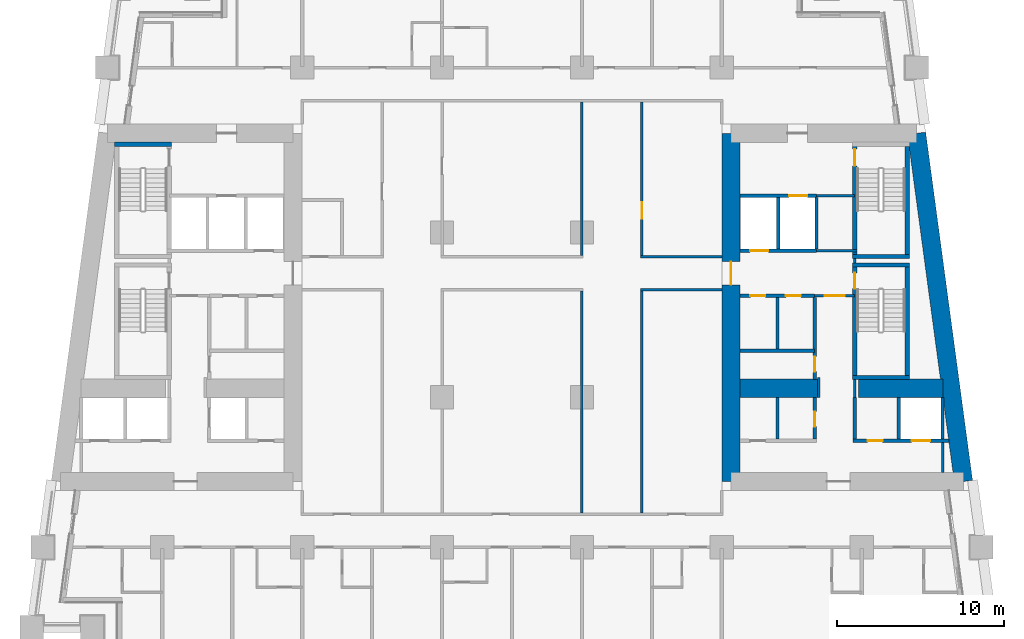
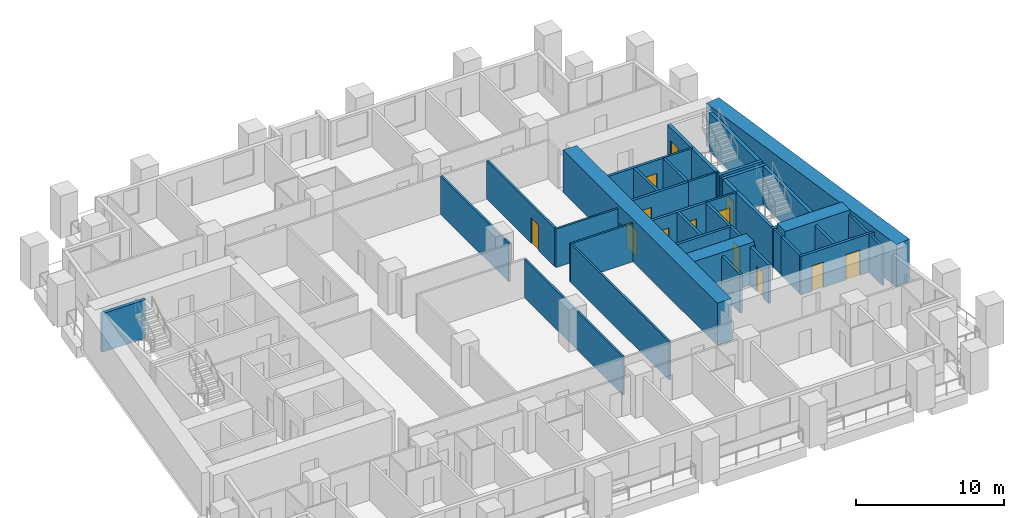
# One storey, part 5 of 12: 39 walls, 13 doors, 13 openings.
"""IFC4 building model written with IfcOpenShell, lengths in metres."""

from ifc_helpers import new_model, si_unit, direction, frame, frame_2d, origin, place, context, subcontext, project, spatial, rectangle, extrude, material, layer, layer_set, type_object, element, fill, save


model = new_model("IFC4")

# Units and contexts
model_context = context("Model", 3, precision=1e-05, world=origin(), true_north=direction((0.0, 1.0)))
body_context = subcontext(model_context, "Body", "Model", "MODEL_VIEW")
ifc_project = project(units=[si_unit("LENGTHUNIT", "METRE"), si_unit("AREAUNIT", "SQUARE_METRE"), si_unit("VOLUMEUNIT", "CUBIC_METRE"), si_unit("PLANEANGLEUNIT", "RADIAN"), si_unit("MASSUNIT", "GRAM", prefix="KILO")], contexts=[model_context])

# Site, building, storey
site_placement = place(None, origin())
site = spatial("IfcSite", under=ifc_project, at=site_placement, CompositionType="ELEMENT")
building_placement = place(site_placement, origin())
building = spatial("IfcBuilding", under=site, at=building_placement, Name="Candeia Pilgrim Tower and Theatre", CompositionType="ELEMENT")
storey_placement = place(building_placement, frame((0.0, 0.0, 53.0)))
storey = spatial("IfcBuildingStorey", under=building, at=storey_placement, Name="L10", CompositionType="ELEMENT", Elevation=53.0)

# Wall
ifc_material_1 = material(Name="Concrete C80/95", Category="concrete")
ifc_layer_1 = layer(ifc_material_1, 1.10009765625)
ifc_layer_set_1 = layer_set([ifc_layer_1], Name="Core wall 1100 C80/95")
wall_type_1 = type_object("IfcWallType", Name="Core wall 1100 C80/95", PredefinedType="SHEAR", material=ifc_layer_set_1)
wall_1_placement = place(storey_placement, frame((137.688232421875, 131.85009765625, 0.0), z_axis=(0.0, 0.0, 1.0), x_axis=(0.133411793472, -0.991060691059, 0.0)))
element("IfcWall", 1, at=wall_1_placement, inside=storey, type_object=wall_type_1, Name="Core wall E2", PredefinedType="SHEAR", context=body_context, shape_type="SweptSolid", body=[
    extrude(rectangle(XDim=21.088623046875, YDim=1.10009765625, at=frame_2d((10.54443359375, 0.0))), origin(), (0.0, 0.0, 1.0), 3.5),
])

# Wall, opening, door
wall_2_placement = place(storey_placement, frame((126.550048828125, 110.949951171875, 0.0), z_axis=(0.0, 0.0, 1.0), x_axis=(0.0, 1.0, 0.0)))
wall_2 = element("IfcWall", 2, at=wall_2_placement, inside=storey, type_object=wall_type_1, Name="Core wall E4", PredefinedType="SHEAR", context=body_context, shape_type="SweptSolid", body=[
    extrude(rectangle(XDim=20.900146484375, YDim=1.10009765625, at=frame_2d((10.4501953125, 0.0))), origin(), (0.0, 0.0, 1.0), 3.5),
])
opening_1_placement = place(wall_2_placement, frame((11.800048828125, 0.0, 0.0)))
opening_1 = element("IfcOpeningElement", 3, at=opening_1_placement, cuts=wall_2, Name="Opening L10-D057", PredefinedType="OPENING", context=body_context, shape_type="SweptSolid", body=[
    extrude(rectangle(XDim=1.39990234375, YDim=2.10009765625, at=frame_2d((0.699951171875, 1.050048828125))), frame((0.0, 0.56005859375, 0.0), z_axis=(0.0, -1.0, 0.0), x_axis=(1.0, 0.0, 0.0)), (0.0, 0.0, 1.0), 1.1201171875),
])
ifc_material_2 = material(Name="Steel fire door set", Category="steel")
door_type_1 = type_object("IfcDoorType", Name="D-1400-FD60", OperationType="NOTDEFINED", PredefinedType="DOOR", material=ifc_material_2)
door_1_placement = place(opening_1_placement, origin())
door_1 = element("IfcDoor", 4, at=door_1_placement, inside=storey, type_object=door_type_1, Name="Door L10-D057", OperationType="SINGLE_SWING_LEFT", OverallHeight=2.10009765625, OverallWidth=1.39990234375, PredefinedType="DOOR", context=body_context, shape_type="SweptSolid", body=[
    extrude(rectangle(XDim=1.39990234375, YDim=2.10009765625, at=frame_2d((0.699951171875, 1.050048828125))), frame((0.0, 0.02490234375, 0.0), z_axis=(0.0, -1.0, 0.0), x_axis=(1.0, 0.0, 0.0)), (0.0, 0.0, 1.0), 0.050048828125),
])
fill(opening_1, door_1)

# Walls
wall_3_placement = place(storey_placement, frame((127.10009765625, 116.550048828125, 0.0), z_axis=(0.0, 0.0, 1.0), x_axis=(1.0, 0.0, 0.0)))
element("IfcWall", 5, at=wall_3_placement, inside=storey, type_object=wall_type_1, Name="Core wall E5", PredefinedType="SHEAR", context=body_context, shape_type="SweptSolid", body=[
    extrude(rectangle(XDim=4.699951171875, YDim=1.10009765625, at=frame_2d((2.35009765625, 0.0))), origin(), (0.0, 0.0, 1.0), 3.5),
])
wall_4_placement = place(storey_placement, frame((134.199951171875, 116.550048828125, 0.0), z_axis=(0.0, 0.0, 1.0), x_axis=(1.0, 0.0, 0.0)))
element("IfcWall", 6, at=wall_4_placement, inside=storey, type_object=wall_type_1, Name="Core wall E6", PredefinedType="SHEAR", context=body_context, shape_type="SweptSolid", body=[
    extrude(rectangle(XDim=5.076904296875, YDim=1.10009765625, at=frame_2d((2.53857421875, 0.0))), origin(), (0.0, 0.0, 1.0), 3.5),
])

# Wall, opening, door
ifc_material_3 = material(Name="Gypsum board partition on steel studs", Category="steel")
ifc_layer_2 = layer(ifc_material_3, 0.14990234375)
ifc_layer_set_2 = layer_set([ifc_layer_2], Name="PW-150 lobby wall")
wall_type_2 = type_object("IfcWallType", Name="PW-150 lobby wall", PredefinedType="PARTITIONING", material=ifc_layer_set_2)
wall_5_placement = place(storey_placement, frame((131.572998046875, 122.10009765625, 0.0), z_axis=(0.0, 0.0, 1.0), x_axis=(1.0, 0.0, 0.0)))
wall_5 = element("IfcWall", 7, at=wall_5_placement, inside=storey, type_object=wall_type_2, Name="Lobby wall L10-021", PredefinedType="PARTITIONING", context=body_context, shape_type="SweptSolid", body=[
    extrude(rectangle(XDim=2.39990234375, YDim=0.14990234375, at=frame_2d((1.199951171875, 0.0))), origin(), (0.0, 0.0, 1.0), 3.179931640625),
])
opening_2_placement = place(wall_5_placement, frame((0.60009765625, 0.0, 0.0)))
opening_2 = element("IfcOpeningElement", 8, at=opening_2_placement, cuts=wall_5, Name="Opening L10-D008", PredefinedType="OPENING", context=body_context, shape_type="SweptSolid", body=[
    extrude(rectangle(XDim=1.199951171875, YDim=2.10009765625, at=frame_2d((0.60009765625, 1.050048828125))), frame((0.0, 0.0849609375, 0.0), z_axis=(0.0, -1.0, 0.0), x_axis=(1.0, 0.0, 0.0)), (0.0, 0.0, 1.0), 0.169921875),
])
door_type_2 = type_object("IfcDoorType", Name="D-1200-FD60", OperationType="NOTDEFINED", PredefinedType="DOOR", material=ifc_material_2)
door_2_placement = place(opening_2_placement, origin())
door_2 = element("IfcDoor", 9, at=door_2_placement, inside=storey, type_object=door_type_2, Name="Door L10-D008", OperationType="SINGLE_SWING_LEFT", OverallHeight=2.10009765625, OverallWidth=1.199951171875, PredefinedType="DOOR", context=body_context, shape_type="SweptSolid", body=[
    extrude(rectangle(XDim=1.199951171875, YDim=2.10009765625, at=frame_2d((0.60009765625, 1.050048828125))), frame((0.0, 0.02490234375, 0.0), z_axis=(0.0, -1.0, 0.0), x_axis=(1.0, 0.0, 0.0)), (0.0, 0.0, 1.0), 0.050048828125),
])
fill(opening_2, door_2)

# Walls
wall_6_placement = place(storey_placement, frame((131.681884765625, 124.800048828125, 0.0), z_axis=(0.0, 0.0, 1.0), x_axis=(1.0, 0.0, 0.0)))
element("IfcWall", 10, at=wall_6_placement, inside=storey, type_object=wall_type_2, Name="Lobby wall L10-034", PredefinedType="PARTITIONING", context=body_context, shape_type="SweptSolid", body=[
    extrude(rectangle(XDim=2.416015625, YDim=0.14990234375, at=frame_2d((1.2080078125, 0.0))), origin(), (0.0, 0.0, 1.0), 3.179931640625),
])
wall_7_placement = place(storey_placement, frame((131.681884765625, 128.10009765625, 0.0), z_axis=(0.0, 0.0, 1.0), x_axis=(1.0, 0.0, 0.0)))
element("IfcWall", 11, at=wall_7_placement, inside=storey, type_object=wall_type_2, Name="Lobby wall L10-038", PredefinedType="PARTITIONING", context=body_context, shape_type="SweptSolid", body=[
    extrude(rectangle(XDim=2.291015625, YDim=0.14990234375, at=frame_2d((1.1455078125, 0.0))), origin(), (0.0, 0.0, 1.0), 3.179931640625),
])
wall_8_placement = place(storey_placement, frame((131.800048828125, 116.0, 0.0), z_axis=(0.0, 0.0, 1.0), x_axis=(0.0, 1.0, 0.0)))
element("IfcWall", 12, at=wall_8_placement, inside=storey, type_object=wall_type_2, Name="Lobby wall L10-105", PredefinedType="PARTITIONING", context=body_context, shape_type="SweptSolid", body=[
    extrude(rectangle(XDim=1.199951171875, YDim=0.14990234375, at=frame_2d((0.60009765625, 0.0))), origin(), (0.0, 0.0, 1.0), 3.179931640625),
])
wall_9_placement = place(storey_placement, frame((133.972900390625, 116.0, 0.0), z_axis=(0.0, 0.0, 1.0), x_axis=(0.0, 1.0, 0.0)))
element("IfcWall", 13, at=wall_9_placement, inside=storey, type_object=wall_type_2, Name="Lobby wall L10-108", PredefinedType="PARTITIONING", context=body_context, shape_type="SweptSolid", body=[
    extrude(rectangle(XDim=1.070068359375, YDim=0.14990234375, at=frame_2d((0.53515625, 0.0))), origin(), (0.0, 0.0, 1.0), 3.179931640625),
])
wall_10_placement = place(storey_placement, frame((133.972900390625, 124.074951171875, 0.0), z_axis=(0.0, 0.0, 1.0), x_axis=(0.0, 1.0, 0.0)))
element("IfcWall", 14, at=wall_10_placement, inside=storey, type_object=wall_type_2, Name="Lobby wall L10-109", PredefinedType="PARTITIONING", context=body_context, shape_type="SweptSolid", body=[
    extrude(rectangle(XDim=0.25, YDim=0.14990234375, at=frame_2d((0.125, 0.0))), origin(), (0.0, 0.0, 1.0), 3.179931640625),
])
wall_11_placement = place(storey_placement, frame((139.27001953125, 111.5, 0.0), z_axis=(0.0, 0.0, 1.0), x_axis=(0.0, 1.0, 0.0)))
element("IfcWall", 15, at=wall_11_placement, inside=storey, type_object=wall_type_2, Name="Lobby wall L10-118", PredefinedType="PARTITIONING", context=body_context, shape_type="SweptSolid", body=[
    extrude(rectangle(XDim=1.800048828125, YDim=0.14990234375, at=frame_2d((0.89990234375, 0.0))), origin(), (0.0, 0.0, 1.0), 3.179931640625),
])
ifc_layer_3 = layer(ifc_material_3, 0.14990234375)
ifc_layer_set_3 = layer_set([ifc_layer_3], Name="PW-150 unit wall")
wall_type_3 = type_object("IfcWallType", Name="PW-150 unit wall", PredefinedType="PARTITIONING", material=ifc_layer_set_3)
for number, where, z_axis, x_axis, name in (
    (16, (121.125, 122.449951171875, 0.0), (0.0, 0.0, 1.0), (1.0, 0.0, 0.0), "Unit wall L10-024"),
    (17, (121.125, 124.449951171875, 0.0), (0.0, 0.0, 1.0), (1.0, 0.0, 0.0), "Unit wall L10-031"),
):
    element("IfcWall", number, at=place(storey_placement, frame(where, z_axis=z_axis, x_axis=x_axis)), inside=storey, type_object=wall_type_3, Name=name, PredefinedType="PARTITIONING", context=body_context, shape_type="SweptSolid", body=[
        extrude(rectangle(XDim=4.875, YDim=0.14990234375, at=frame_2d((2.4375, 0.0))), origin(), (0.0, 0.0, 1.0), 3.179931640625),
    ])
wall_12_placement = place(storey_placement, frame((117.60009765625, 109.074951171875, 0.0), z_axis=(0.0, 0.0, 1.0), x_axis=(0.0, 1.0, 0.0)))
element("IfcWall", 18, at=wall_12_placement, inside=storey, type_object=wall_type_3, Name="Unit wall L10-088", PredefinedType="PARTITIONING", context=body_context, shape_type="SweptSolid", body=[
    extrude(rectangle(XDim=13.300048828125, YDim=0.14990234375, at=frame_2d((6.64990234375, 0.0))), origin(), (0.0, 0.0, 1.0), 3.179931640625),
])
wall_13_placement = place(storey_placement, frame((117.60009765625, 124.52490234375, 0.0), z_axis=(0.0, 0.0, 1.0), x_axis=(0.0, 1.0, 0.0)))
element("IfcWall", 19, at=wall_13_placement, inside=storey, type_object=wall_type_3, Name="Unit wall L10-089", PredefinedType="PARTITIONING", context=body_context, shape_type="SweptSolid", body=[
    extrude(rectangle(XDim=9.2001953125, YDim=0.14990234375, at=frame_2d((4.60009765625, 0.0))), origin(), (0.0, 0.0, 1.0), 3.179931640625),
])
wall_14_placement = place(storey_placement, frame((121.199951171875, 109.074951171875, 0.0), z_axis=(0.0, 0.0, 1.0), x_axis=(0.0, 1.0, 0.0)))
element("IfcWall", 20, at=wall_14_placement, inside=storey, type_object=wall_type_3, Name="Unit wall L10-090", PredefinedType="PARTITIONING", context=body_context, shape_type="SweptSolid", body=[
    extrude(rectangle(XDim=13.300048828125, YDim=0.14990234375, at=frame_2d((6.64990234375, 0.0))), origin(), (0.0, 0.0, 1.0), 3.179931640625),
])

# Wall, opening, door
wall_15_placement = place(storey_placement, frame((121.199951171875, 124.52490234375, 0.0), z_axis=(0.0, 0.0, 1.0), x_axis=(0.0, 1.0, 0.0)))
wall_15 = element("IfcWall", 21, at=wall_15_placement, inside=storey, type_object=wall_type_3, Name="Unit wall L10-091", PredefinedType="PARTITIONING", context=body_context, shape_type="SweptSolid", body=[
    extrude(rectangle(XDim=9.2001953125, YDim=0.14990234375, at=frame_2d((4.60009765625, 0.0))), origin(), (0.0, 0.0, 1.0), 3.179931640625),
])
opening_3_placement = place(wall_15_placement, frame((2.18701171875, 0.0, 0.0)))
opening_3 = element("IfcOpeningElement", 22, at=opening_3_placement, cuts=wall_15, Name="Opening L10-D051", PredefinedType="OPENING", context=body_context, shape_type="SweptSolid", body=[
    extrude(rectangle(XDim=1.0, YDim=2.10009765625, at=frame_2d((0.5, 1.050048828125))), frame((0.0, 0.0849609375, 0.0), z_axis=(0.0, -1.0, 0.0), x_axis=(1.0, 0.0, 0.0)), (0.0, 0.0, 1.0), 0.169921875),
])
door_type_3 = type_object("IfcDoorType", Name="D-1000-FD30S", OperationType="NOTDEFINED", PredefinedType="DOOR", material=ifc_material_2)
door_3_placement = place(opening_3_placement, origin())
door_3 = element("IfcDoor", 23, at=door_3_placement, inside=storey, type_object=door_type_3, Name="Door L10-D051", OperationType="SINGLE_SWING_LEFT", OverallHeight=2.10009765625, OverallWidth=1.0, PredefinedType="DOOR", context=body_context, shape_type="SweptSolid", body=[
    extrude(rectangle(XDim=1.0, YDim=2.10009765625, at=frame_2d((0.5, 1.050048828125))), frame((0.0, 0.02490234375, 0.0), z_axis=(0.0, -1.0, 0.0), x_axis=(1.0, 0.0, 0.0)), (0.0, 0.0, 1.0), 0.050048828125),
])
fill(opening_3, door_3)

# Wall, openings, doors
ifc_material_4 = material(Name="Concrete C40/50", Category="concrete")
ifc_layer_4 = layer(ifc_material_4, 0.199951171875)
ifc_layer_set_4 = layer_set([ifc_layer_4], Name="SW-200 shaft wall")
wall_type_4 = type_object("IfcWallType", Name="SW-200 shaft wall", PredefinedType="PARTITIONING", material=ifc_layer_set_4)
wall_16_placement = place(storey_placement, frame((133.873046875, 113.39990234375, 0.0), z_axis=(0.0, 0.0, 1.0), x_axis=(1.0, 0.0, 0.0)))
wall_16 = element("IfcWall", 24, at=wall_16_placement, inside=storey, type_object=wall_type_4, Name="Shaft wall L10-013", PredefinedType="PARTITIONING", context=body_context, shape_type="SweptSolid", body=[
    extrude(rectangle(XDim=5.77392578125, YDim=0.199951171875, at=frame_2d((2.886962890625, 0.0))), origin(), (0.0, 0.0, 1.0), 3.179931640625),
])
opening_4_placement = place(wall_16_placement, frame((3.52294921875, 0.0, 0.0)))
opening_4 = element("IfcOpeningElement", 25, at=opening_4_placement, cuts=wall_16, Name="Opening L10-LD08", PredefinedType="OPENING", context=body_context, shape_type="SweptSolid", body=[
    extrude(rectangle(XDim=1.10009765625, YDim=2.10009765625, at=frame_2d((0.550048828125, 1.050048828125))), frame((0.0, 0.10986328125, 0.0), z_axis=(0.0, -1.0, 0.0), x_axis=(1.0, 0.0, 0.0)), (0.0, 0.0, 1.0), 0.219970703125),
])
opening_5_placement = place(wall_16_placement, frame((0.868896484375, 0.0, 0.0)))
opening_5 = element("IfcOpeningElement", 26, at=opening_5_placement, cuts=wall_16, Name="Opening L10-D014", PredefinedType="OPENING", context=body_context, shape_type="SweptSolid", body=[
    extrude(rectangle(XDim=0.89990234375, YDim=2.10009765625, at=frame_2d((0.449951171875, 1.050048828125))), frame((0.0, 0.10986328125, 0.0), z_axis=(0.0, -1.0, 0.0), x_axis=(1.0, 0.0, 0.0)), (0.0, 0.0, 1.0), 0.219970703125),
])
door_type_4 = type_object("IfcDoorType", Name="D-900-FD60", OperationType="NOTDEFINED", PredefinedType="DOOR", material=ifc_material_2)
door_4_placement = place(opening_5_placement, origin())
door_4 = element("IfcDoor", 27, at=door_4_placement, inside=storey, type_object=door_type_4, Name="Door L10-D014", OperationType="SINGLE_SWING_RIGHT", OverallHeight=2.10009765625, OverallWidth=0.89990234375, PredefinedType="DOOR", context=body_context, shape_type="SweptSolid", body=[
    extrude(rectangle(XDim=0.89990234375, YDim=2.10009765625, at=frame_2d((0.449951171875, 1.050048828125))), frame((0.0, 0.02490234375, 0.0), z_axis=(0.0, -1.0, 0.0), x_axis=(1.0, 0.0, 0.0)), (0.0, 0.0, 1.0), 0.050048828125),
])
fill(opening_5, door_4)
ifc_material_5 = material(Name="Glazed aluminium landing door", Category="aluminium")
door_type_5 = type_object("IfcDoorType", Name="LD-1100-EI120", OperationType="SLIDING_TO_LEFT", PredefinedType="DOOR", material=ifc_material_5)
door_5_placement = place(opening_4_placement, origin())
door_5 = element("IfcDoor", 28, at=door_5_placement, inside=storey, type_object=door_type_5, Name="Landing door 08 L10", OperationType="SLIDING_TO_LEFT", OverallHeight=2.10009765625, OverallWidth=1.10009765625, PredefinedType="DOOR", context=body_context, shape_type="SweptSolid", body=[
    extrude(rectangle(XDim=1.10009765625, YDim=2.10009765625, at=frame_2d((0.550048828125, 1.050048828125))), frame((0.0, 0.02490234375, 0.0), z_axis=(0.0, -1.0, 0.0), x_axis=(1.0, 0.0, 0.0)), (0.0, 0.0, 1.0), 0.050048828125),
])
fill(opening_4, door_5)

# Wall
wall_17_placement = place(storey_placement, frame((127.10009765625, 118.800048828125, 0.0), z_axis=(0.0, 0.0, 1.0), x_axis=(1.0, 0.0, 0.0)))
element("IfcWall", 29, at=wall_17_placement, inside=storey, type_object=wall_type_4, Name="Shaft wall L10-017", PredefinedType="PARTITIONING", context=body_context, shape_type="SweptSolid", body=[
    extrude(rectangle(XDim=4.472900390625, YDim=0.199951171875, at=frame_2d((2.236328125, 0.0))), origin(), (0.0, 0.0, 1.0), 3.179931640625),
])

# Wall, openings, doors
wall_18_placement = place(storey_placement, frame((127.10009765625, 122.10009765625, 0.0), z_axis=(0.0, 0.0, 1.0), x_axis=(1.0, 0.0, 0.0)))
wall_18 = element("IfcWall", 30, at=wall_18_placement, inside=storey, type_object=wall_type_4, Name="Shaft wall L10-019", PredefinedType="PARTITIONING", context=body_context, shape_type="SweptSolid", body=[
    extrude(rectangle(XDim=4.472900390625, YDim=0.199951171875, at=frame_2d((2.236328125, 0.0))), origin(), (0.0, 0.0, 1.0), 3.179931640625),
])
opening_6_placement = place(wall_18_placement, frame((2.74609375, 0.0, 0.0)))
opening_6 = element("IfcOpeningElement", 31, at=opening_6_placement, cuts=wall_18, Name="Opening L10-D009", PredefinedType="OPENING", context=body_context, shape_type="SweptSolid", body=[
    extrude(rectangle(XDim=0.89990234375, YDim=2.10009765625, at=frame_2d((0.449951171875, 1.050048828125))), frame((0.0, 0.10986328125, 0.0), z_axis=(0.0, -1.0, 0.0), x_axis=(1.0, 0.0, 0.0)), (0.0, 0.0, 1.0), 0.219970703125),
])
opening_7_placement = place(wall_18_placement, frame((0.60498046875, 0.0, 0.0)))
opening_7 = element("IfcOpeningElement", 32, at=opening_7_placement, cuts=wall_18, Name="Opening L10-D010", PredefinedType="OPENING", context=body_context, shape_type="SweptSolid", body=[
    extrude(rectangle(XDim=0.89990234375, YDim=2.10009765625, at=frame_2d((0.449951171875, 1.050048828125))), frame((0.0, 0.10986328125, 0.0), z_axis=(0.0, -1.0, 0.0), x_axis=(1.0, 0.0, 0.0)), (0.0, 0.0, 1.0), 0.219970703125),
])
door_6_placement = place(opening_6_placement, origin())
door_6 = element("IfcDoor", 33, at=door_6_placement, inside=storey, type_object=door_type_4, Name="Door L10-D009", OperationType="SINGLE_SWING_RIGHT", OverallHeight=2.10009765625, OverallWidth=0.89990234375, PredefinedType="DOOR", context=body_context, shape_type="SweptSolid", body=[
    extrude(rectangle(XDim=0.89990234375, YDim=2.10009765625, at=frame_2d((0.449951171875, 1.050048828125))), frame((0.0, 0.02490234375, 0.0), z_axis=(0.0, -1.0, 0.0), x_axis=(1.0, 0.0, 0.0)), (0.0, 0.0, 1.0), 0.050048828125),
])
fill(opening_6, door_6)
door_7_placement = place(opening_7_placement, origin())
door_7 = element("IfcDoor", 34, at=door_7_placement, inside=storey, type_object=door_type_4, Name="Door L10-D010", OperationType="SINGLE_SWING_LEFT", OverallHeight=2.10009765625, OverallWidth=0.89990234375, PredefinedType="DOOR", context=body_context, shape_type="SweptSolid", body=[
    extrude(rectangle(XDim=0.89990234375, YDim=2.10009765625, at=frame_2d((0.449951171875, 1.050048828125))), frame((0.0, 0.02490234375, 0.0), z_axis=(0.0, -1.0, 0.0), x_axis=(1.0, 0.0, 0.0)), (0.0, 0.0, 1.0), 0.050048828125),
])
fill(opening_7, door_7)

# Wall, opening, door
wall_19_placement = place(storey_placement, frame((127.10009765625, 124.800048828125, 0.0), z_axis=(0.0, 0.0, 1.0), x_axis=(1.0, 0.0, 0.0)))
wall_19 = element("IfcWall", 35, at=wall_19_placement, inside=storey, type_object=wall_type_4, Name="Shaft wall L10-033", PredefinedType="PARTITIONING", context=body_context, shape_type="SweptSolid", body=[
    extrude(rectangle(XDim=4.581787109375, YDim=0.199951171875, at=frame_2d((2.291015625, 0.0))), origin(), (0.0, 0.0, 1.0), 3.179931640625),
])
opening_8_placement = place(wall_19_placement, frame((0.595947265625, 0.0, 0.0)))
opening_8 = element("IfcOpeningElement", 36, at=opening_8_placement, cuts=wall_19, Name="Opening L10-LD07", PredefinedType="OPENING", context=body_context, shape_type="SweptSolid", body=[
    extrude(rectangle(XDim=1.10009765625, YDim=2.10009765625, at=frame_2d((0.550048828125, 1.050048828125))), frame((0.0, 0.10986328125, 0.0), z_axis=(0.0, -1.0, 0.0), x_axis=(1.0, 0.0, 0.0)), (0.0, 0.0, 1.0), 0.219970703125),
])
door_8_placement = place(opening_8_placement, origin())
door_8 = element("IfcDoor", 37, at=door_8_placement, inside=storey, type_object=door_type_5, Name="Landing door 07 L10", OperationType="SLIDING_TO_LEFT", OverallHeight=2.10009765625, OverallWidth=1.10009765625, PredefinedType="DOOR", context=body_context, shape_type="SweptSolid", body=[
    extrude(rectangle(XDim=1.10009765625, YDim=2.10009765625, at=frame_2d((0.550048828125, 1.050048828125))), frame((0.0, 0.02490234375, 0.0), z_axis=(0.0, -1.0, 0.0), x_axis=(1.0, 0.0, 0.0)), (0.0, 0.0, 1.0), 0.050048828125),
])
fill(opening_8, door_8)

wall_20_placement = place(storey_placement, frame((127.10009765625, 128.10009765625, 0.0), z_axis=(0.0, 0.0, 1.0), x_axis=(1.0, 0.0, 0.0)))
wall_20 = element("IfcWall", 38, at=wall_20_placement, inside=storey, type_object=wall_type_4, Name="Shaft wall L10-037", PredefinedType="PARTITIONING", context=body_context, shape_type="SweptSolid", body=[
    extrude(rectangle(XDim=4.581787109375, YDim=0.199951171875, at=frame_2d((2.291015625, 0.0))), origin(), (0.0, 0.0, 1.0), 3.179931640625),
])
opening_9_placement = place(wall_20_placement, frame((2.93603515625, 0.0, 0.0)))
opening_9 = element("IfcOpeningElement", 39, at=opening_9_placement, cuts=wall_20, Name="Opening L10-LD06", PredefinedType="OPENING", context=body_context, shape_type="SweptSolid", body=[
    extrude(rectangle(XDim=1.10009765625, YDim=2.10009765625, at=frame_2d((0.550048828125, 1.050048828125))), frame((0.0, 0.10986328125, 0.0), z_axis=(0.0, -1.0, 0.0), x_axis=(1.0, 0.0, 0.0)), (0.0, 0.0, 1.0), 0.219970703125),
])
door_9_placement = place(opening_9_placement, origin())
door_9 = element("IfcDoor", 40, at=door_9_placement, inside=storey, type_object=door_type_5, Name="Landing door 06 L10", OperationType="SLIDING_TO_LEFT", OverallHeight=2.10009765625, OverallWidth=1.10009765625, PredefinedType="DOOR", context=body_context, shape_type="SweptSolid", body=[
    extrude(rectangle(XDim=1.10009765625, YDim=2.10009765625, at=frame_2d((0.550048828125, 1.050048828125))), frame((0.0, 0.02490234375, 0.0), z_axis=(0.0, -1.0, 0.0), x_axis=(1.0, 0.0, 0.0)), (0.0, 0.0, 1.0), 0.050048828125),
])
fill(opening_9, door_9)

# Walls
wall_21_placement = place(storey_placement, frame((129.33642578125, 113.5, 0.0), z_axis=(0.0, 0.0, 1.0), x_axis=(0.0, 1.0, 0.0)))
element("IfcWall", 41, at=wall_21_placement, inside=storey, type_object=wall_type_4, Name="Shaft wall L10-099", PredefinedType="PARTITIONING", context=body_context, shape_type="SweptSolid", body=[
    extrude(rectangle(XDim=2.5, YDim=0.199951171875, at=frame_2d((1.25, 0.0))), origin(), (0.0, 0.0, 1.0), 3.179931640625),
])
for number, where, z_axis, x_axis, name in (
    (42, (129.33642578125, 118.89990234375, 0.0), (0.0, 0.0, 1.0), (0.0, 1.0, 0.0), "Shaft wall L10-100"),
    (43, (129.39111328125, 124.89990234375, 0.0), (0.0, 0.0, 1.0), (0.0, 1.0, 0.0), "Shaft wall L10-101"),
):
    element("IfcWall", number, at=place(storey_placement, frame(where, z_axis=z_axis, x_axis=x_axis)), inside=storey, type_object=wall_type_4, Name=name, PredefinedType="PARTITIONING", context=body_context, shape_type="SweptSolid", body=[
        extrude(rectangle(XDim=3.10009765625, YDim=0.199951171875, at=frame_2d((1.550048828125, 0.0))), origin(), (0.0, 0.0, 1.0), 3.179931640625),
    ])

# Wall, opening, door
wall_22_placement = place(storey_placement, frame((131.572998046875, 113.5, 0.0), z_axis=(0.0, 0.0, 1.0), x_axis=(0.0, 1.0, 0.0)))
wall_22 = element("IfcWall", 44, at=wall_22_placement, inside=storey, type_object=wall_type_4, Name="Shaft wall L10-102", PredefinedType="PARTITIONING", context=body_context, shape_type="SweptSolid", body=[
    extrude(rectangle(XDim=2.5, YDim=0.199951171875, at=frame_2d((1.25, 0.0))), origin(), (0.0, 0.0, 1.0), 3.179931640625),
])
opening_10_placement = place(wall_22_placement, frame((0.75, 0.0, 0.0)))
opening_10 = element("IfcOpeningElement", 45, at=opening_10_placement, cuts=wall_22, Name="Opening L10-D015", PredefinedType="OPENING", context=body_context, shape_type="SweptSolid", body=[
    extrude(rectangle(XDim=0.89990234375, YDim=2.10009765625, at=frame_2d((0.449951171875, 1.050048828125))), frame((0.0, 0.10986328125, 0.0), z_axis=(0.0, -1.0, 0.0), x_axis=(1.0, 0.0, 0.0)), (0.0, 0.0, 1.0), 0.219970703125),
])
door_10_placement = place(opening_10_placement, origin())
door_10 = element("IfcDoor", 46, at=door_10_placement, inside=storey, type_object=door_type_4, Name="Door L10-D015", OperationType="SINGLE_SWING_LEFT", OverallHeight=2.10009765625, OverallWidth=0.89990234375, PredefinedType="DOOR", context=body_context, shape_type="SweptSolid", body=[
    extrude(rectangle(XDim=0.89990234375, YDim=2.10009765625, at=frame_2d((0.449951171875, 1.050048828125))), frame((0.0, 0.02490234375, 0.0), z_axis=(0.0, -1.0, 0.0), x_axis=(1.0, 0.0, 0.0)), (0.0, 0.0, 1.0), 0.050048828125),
])
fill(opening_10, door_10)

wall_23_placement = place(storey_placement, frame((131.572998046875, 117.070068359375, 0.0), z_axis=(0.0, 0.0, 1.0), x_axis=(0.0, 1.0, 0.0)))
wall_23 = element("IfcWall", 47, at=wall_23_placement, inside=storey, type_object=wall_type_4, Name="Shaft wall L10-103", PredefinedType="PARTITIONING", context=body_context, shape_type="SweptSolid", body=[
    extrude(rectangle(XDim=4.929931640625, YDim=0.199951171875, at=frame_2d((2.46484375, 0.0))), origin(), (0.0, 0.0, 1.0), 3.179931640625),
])
opening_11_placement = place(wall_23_placement, frame((0.47998046875, 0.0, 0.0)))
opening_11 = element("IfcOpeningElement", 48, at=opening_11_placement, cuts=wall_23, Name="Opening L10-D013", PredefinedType="OPENING", context=body_context, shape_type="SweptSolid", body=[
    extrude(rectangle(XDim=0.89990234375, YDim=2.10009765625, at=frame_2d((0.449951171875, 1.050048828125))), frame((0.0, 0.10986328125, 0.0), z_axis=(0.0, -1.0, 0.0), x_axis=(1.0, 0.0, 0.0)), (0.0, 0.0, 1.0), 0.219970703125),
])
door_11_placement = place(opening_11_placement, origin())
door_11 = element("IfcDoor", 49, at=door_11_placement, inside=storey, type_object=door_type_4, Name="Door L10-D013", OperationType="SINGLE_SWING_RIGHT", OverallHeight=2.10009765625, OverallWidth=0.89990234375, PredefinedType="DOOR", context=body_context, shape_type="SweptSolid", body=[
    extrude(rectangle(XDim=0.89990234375, YDim=2.10009765625, at=frame_2d((0.449951171875, 1.050048828125))), frame((0.0, 0.02490234375, 0.0), z_axis=(0.0, -1.0, 0.0), x_axis=(1.0, 0.0, 0.0)), (0.0, 0.0, 1.0), 0.050048828125),
])
fill(opening_11, door_11)

# Walls
wall_24_placement = place(storey_placement, frame((131.681884765625, 124.89990234375, 0.0), z_axis=(0.0, 0.0, 1.0), x_axis=(0.0, 1.0, 0.0)))
element("IfcWall", 50, at=wall_24_placement, inside=storey, type_object=wall_type_4, Name="Shaft wall L10-104", PredefinedType="PARTITIONING", context=body_context, shape_type="SweptSolid", body=[
    extrude(rectangle(XDim=3.10009765625, YDim=0.199951171875, at=frame_2d((1.550048828125, 0.0))), origin(), (0.0, 0.0, 1.0), 3.179931640625),
])
for number, where, z_axis, x_axis, name in (
    (51, (133.972900390625, 113.5, 0.0), (0.0, 0.0, 1.0), (0.0, 1.0, 0.0), "Shaft wall L10-107"),
    (52, (136.62158203125, 113.5, 0.0), (0.0, 0.0, 1.0), (0.0, 1.0, 0.0), "Shaft wall L10-113"),
    (53, (139.247802734375, 113.5, 0.0), (0.0, 0.0, 1.0), (0.0, 1.0, 0.0), "Shaft wall L10-117"),
):
    element("IfcWall", number, at=place(storey_placement, frame(where, z_axis=z_axis, x_axis=x_axis)), inside=storey, type_object=wall_type_4, Name=name, PredefinedType="PARTITIONING", context=body_context, shape_type="SweptSolid", body=[
        extrude(rectangle(XDim=2.5, YDim=0.199951171875, at=frame_2d((1.25, 0.0))), origin(), (0.0, 0.0, 1.0), 3.179931640625),
    ])
ifc_layer_5 = layer(ifc_material_4, 0.25)
ifc_layer_set_5 = layer_set([ifc_layer_5], Name="SW-250 stair wall")
wall_type_5 = type_object("IfcWallType", Name="SW-250 stair wall", PredefinedType="PARTITIONING", material=ifc_layer_set_5)
for number, where, z_axis, x_axis, name in (
    (54, (133.847900390625, 117.199951171875, 0.0), (0.0, 0.0, 1.0), (1.0, 0.0, 0.0), "Stair wall L10-015"),
    (55, (133.847900390625, 123.949951171875, 0.0), (0.0, 0.0, 1.0), (1.0, 0.0, 0.0), "Stair wall L10-026"),
    (56, (133.847900390625, 124.449951171875, 0.0), (0.0, 0.0, 1.0), (1.0, 0.0, 0.0), "Stair wall L10-028"),
):
    element("IfcWall", number, at=place(storey_placement, frame(where, z_axis=z_axis, x_axis=x_axis)), inside=storey, type_object=wall_type_5, Name=name, PredefinedType="PARTITIONING", context=body_context, shape_type="SweptSolid", body=[
        extrude(rectangle(XDim=3.400146484375, YDim=0.25, at=frame_2d((1.7001953125, 0.0))), origin(), (0.0, 0.0, 1.0), 3.179931640625),
    ])
wall_25_placement = place(storey_placement, frame((89.552001953125, 131.199951171875, 0.0), z_axis=(0.0, 0.0, 1.0), x_axis=(1.0, 0.0, 0.0)))
element("IfcWall", 57, at=wall_25_placement, inside=storey, type_object=wall_type_5, Name="Stair wall L10-039", PredefinedType="PARTITIONING", context=body_context, shape_type="SweptSolid", body=[
    extrude(rectangle(XDim=3.39990234375, YDim=0.25, at=frame_2d((1.699951171875, 0.0))), origin(), (0.0, 0.0, 1.0), 3.179931640625),
])

# Wall, opening, door
wall_26_placement = place(storey_placement, frame((133.972900390625, 117.070068359375, 0.0), z_axis=(0.0, 0.0, 1.0), x_axis=(0.0, 1.0, 0.0)))
wall_26 = element("IfcWall", 58, at=wall_26_placement, inside=storey, type_object=wall_type_5, Name="Stair wall L10-110", PredefinedType="PARTITIONING", context=body_context, shape_type="SweptSolid", body=[
    extrude(rectangle(XDim=6.7548828125, YDim=0.25, at=frame_2d((3.37744140625, 0.0))), origin(), (0.0, 0.0, 1.0), 3.179931640625),
])
opening_12_placement = place(wall_26_placement, frame((5.455078125, 0.0, 0.0)))
opening_12 = element("IfcOpeningElement", 59, at=opening_12_placement, cuts=wall_26, Name="Opening L10-D011", PredefinedType="OPENING", context=body_context, shape_type="SweptSolid", body=[
    extrude(rectangle(XDim=0.949951171875, YDim=2.10009765625, at=frame_2d((0.47509765625, 1.050048828125))), frame((0.0, 0.135009765625, 0.0), z_axis=(0.0, -1.0, 0.0), x_axis=(1.0, 0.0, 0.0)), (0.0, 0.0, 1.0), 0.27001953125),
])
door_type_6 = type_object("IfcDoorType", Name="D-950-FD60", OperationType="NOTDEFINED", PredefinedType="DOOR", material=ifc_material_2)
door_12_placement = place(opening_12_placement, origin())
door_12 = element("IfcDoor", 60, at=door_12_placement, inside=storey, type_object=door_type_6, Name="Door L10-D011", OperationType="SINGLE_SWING_RIGHT", OverallHeight=2.10009765625, OverallWidth=0.949951171875, PredefinedType="DOOR", context=body_context, shape_type="SweptSolid", body=[
    extrude(rectangle(XDim=0.949951171875, YDim=2.10009765625, at=frame_2d((0.47509765625, 1.050048828125))), frame((0.0, 0.02490234375, 0.0), z_axis=(0.0, -1.0, 0.0), x_axis=(1.0, 0.0, 0.0)), (0.0, 0.0, 1.0), 0.050048828125),
])
fill(opening_12, door_12)

wall_27_placement = place(storey_placement, frame((133.972900390625, 124.574951171875, 0.0), z_axis=(0.0, 0.0, 1.0), x_axis=(0.0, 1.0, 0.0)))
wall_27 = element("IfcWall", 61, at=wall_27_placement, inside=storey, type_object=wall_type_5, Name="Stair wall L10-111", PredefinedType="PARTITIONING", context=body_context, shape_type="SweptSolid", body=[
    extrude(rectangle(XDim=6.755126953125, YDim=0.25, at=frame_2d((3.37744140625, 0.0))), origin(), (0.0, 0.0, 1.0), 3.179931640625),
])
opening_13_placement = place(wall_27_placement, frame((5.324951171875, 0.0, 0.0)))
opening_13 = element("IfcOpeningElement", 62, at=opening_13_placement, cuts=wall_27, Name="Opening L10-D012", PredefinedType="OPENING", context=body_context, shape_type="SweptSolid", body=[
    extrude(rectangle(XDim=1.0, YDim=2.10009765625, at=frame_2d((0.5, 1.050048828125))), frame((0.0, 0.135009765625, 0.0), z_axis=(0.0, -1.0, 0.0), x_axis=(1.0, 0.0, 0.0)), (0.0, 0.0, 1.0), 0.27001953125),
])
door_type_7 = type_object("IfcDoorType", Name="D-1000-FD60", OperationType="NOTDEFINED", PredefinedType="DOOR", material=ifc_material_2)
door_13_placement = place(opening_13_placement, origin())
door_13 = element("IfcDoor", 63, at=door_13_placement, inside=storey, type_object=door_type_7, Name="Door L10-D012", OperationType="SINGLE_SWING_LEFT", OverallHeight=2.10009765625, OverallWidth=1.0, PredefinedType="DOOR", context=body_context, shape_type="SweptSolid", body=[
    extrude(rectangle(XDim=1.0, YDim=2.10009765625, at=frame_2d((0.5, 1.050048828125))), frame((0.0, 0.02490234375, 0.0), z_axis=(0.0, -1.0, 0.0), x_axis=(1.0, 0.0, 0.0)), (0.0, 0.0, 1.0), 0.050048828125),
])
fill(opening_13, door_13)

# Walls
wall_28_placement = place(storey_placement, frame((137.123046875, 117.070068359375, 0.0), z_axis=(0.0, 0.0, 1.0), x_axis=(0.0, 1.0, 0.0)))
element("IfcWall", 64, at=wall_28_placement, inside=storey, type_object=wall_type_5, Name="Stair wall L10-114", PredefinedType="PARTITIONING", context=body_context, shape_type="SweptSolid", body=[
    extrude(rectangle(XDim=6.7548828125, YDim=0.25, at=frame_2d((3.37744140625, 0.0))), origin(), (0.0, 0.0, 1.0), 3.179931640625),
])
wall_29_placement = place(storey_placement, frame((137.123046875, 124.574951171875, 0.0), z_axis=(0.0, 0.0, 1.0), x_axis=(0.0, 1.0, 0.0)))
element("IfcWall", 65, at=wall_29_placement, inside=storey, type_object=wall_type_5, Name="Stair wall L10-115", PredefinedType="PARTITIONING", context=body_context, shape_type="SweptSolid", body=[
    extrude(rectangle(XDim=6.5, YDim=0.25, at=frame_2d((3.25, 0.0))), origin(), (0.0, 0.0, 1.0), 3.179931640625),
])

save(model, "model.ifc")
